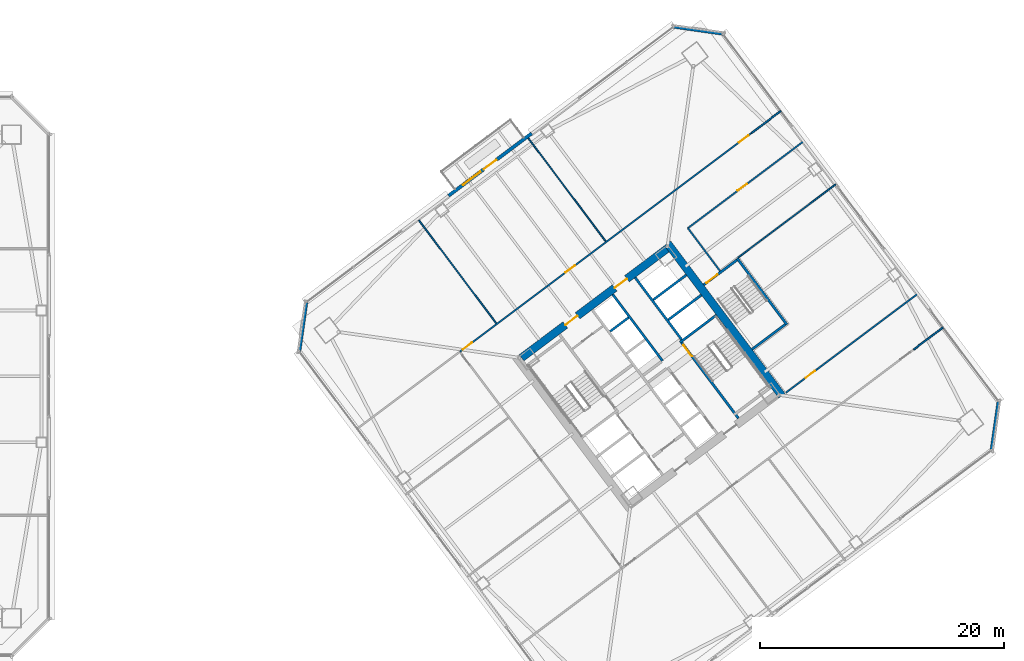
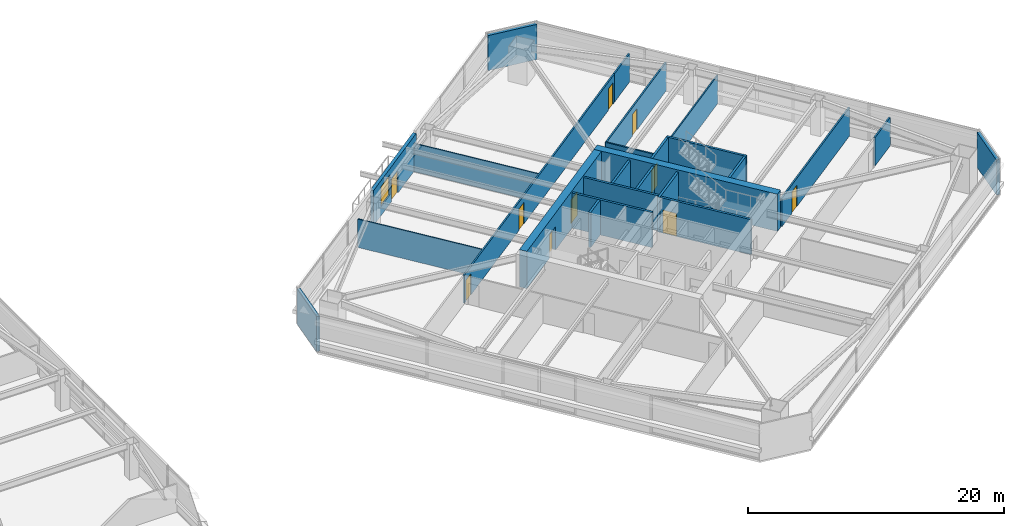
# One storey, part 36 of 45: 25 walls, 10 doors, 1 window, 11 openings.
"""IFC4 building model written with IfcOpenShell, lengths in metres."""

from ifc_helpers import new_model, si_unit, direction, frame, frame_2d, origin, place, context, subcontext, project, spatial, rectangle, extrude, material, layer, layer_set, type_object, element, fill, save


model = new_model("IFC4")

# Units and contexts
model_context = context("Model", 3, precision=1e-05, world=origin(), true_north=direction((0.0, 1.0)))
body_context = subcontext(model_context, "Body", "Model", "MODEL_VIEW")
ifc_project = project(units=[si_unit("LENGTHUNIT", "METRE"), si_unit("AREAUNIT", "SQUARE_METRE"), si_unit("VOLUMEUNIT", "CUBIC_METRE"), si_unit("PLANEANGLEUNIT", "RADIAN"), si_unit("MASSUNIT", "GRAM", prefix="KILO")], contexts=[model_context])

# Site, building, storey
site_placement = place(None, origin())
site = spatial("IfcSite", under=ifc_project, at=site_placement, CompositionType="ELEMENT")
building_placement = place(site_placement, origin())
building = spatial("IfcBuilding", under=site, at=building_placement, Name="Tashvorn Skyway Center", CompositionType="ELEMENT")
storey_placement = place(building_placement, frame((0.0, 0.0, 35.25)))
storey = spatial("IfcBuildingStorey", under=building, at=storey_placement, Name="L08", CompositionType="ELEMENT", Elevation=35.25)

# Wall
ifc_material_1 = material(Name="Concrete C60/75", Category="concrete")
ifc_layer_1 = layer(ifc_material_1, 0.64990234375)
ifc_layer_set_1 = layer_set([ifc_layer_1], Name="Concrete C60/75")
wall_type_1 = type_object("IfcWallType", Name="WALL-CORE-650", PredefinedType="SHEAR", material=ifc_layer_set_1)
wall_1_placement = place(storey_placement, frame((115.52392578125, 42.89306640625, 0.0), z_axis=(0.0, 0.0, 1.0), x_axis=(0.600005007985, -0.799996243986, 0.0)))
element("IfcWall", 1, at=wall_1_placement, inside=storey, type_object=wall_type_1, Name="Tower 2 L08 East Core Shear Wall", PredefinedType="SHEAR", context=body_context, shape_type="SweptSolid", body=[
    extrude(rectangle(XDim=15.60009765625, YDim=0.64990234375, at=frame_2d((7.800048828125, 0.0))), origin(), (0.0, 0.0, 1.0), 3.550048828125),
])

# Wall, openings, doors
wall_2_placement = place(storey_placement, frame((103.571044921875, 33.52197265625, 0.0), z_axis=(0.0, 0.0, 1.0), x_axis=(0.799998028465, 0.600002628705, 0.0)))
wall_2 = element("IfcWall", 2, at=wall_2_placement, inside=storey, type_object=wall_type_1, Name="Tower 2 L08 North Core Shear Wall", PredefinedType="SHEAR", context=body_context, shape_type="SweptSolid", body=[
    extrude(rectangle(XDim=14.85986328125, YDim=0.64990234375, at=frame_2d((7.429931640625, 0.0))), origin(), (0.0, 0.0, 1.0), 3.550048828125),
])
opening_1_placement = place(wall_2_placement, frame((4.47998046875, 0.0, 0.0)))
opening_1 = element("IfcOpeningElement", 3, at=opening_1_placement, cuts=wall_2, Name="Opening D-FFL-1250", PredefinedType="OPENING", context=body_context, shape_type="SweptSolid", body=[
    extrude(rectangle(XDim=1.25, YDim=2.25, at=frame_2d((0.625, 1.125))), frame((0.0, 0.3349609375, 0.0), z_axis=(0.0, -1.0, 0.0), x_axis=(1.0, 0.0, 0.0)), (0.0, 0.0, 1.0), 0.669921875),
])
opening_2_placement = place(wall_2_placement, frame((9.530029296875, 0.0, 0.0)))
opening_2 = element("IfcOpeningElement", 4, at=opening_2_placement, cuts=wall_2, Name="Opening D-FFL-1250", PredefinedType="OPENING", context=body_context, shape_type="SweptSolid", body=[
    extrude(rectangle(XDim=1.25, YDim=2.25, at=frame_2d((0.625, 1.125))), frame((0.0, 0.3349609375, 0.0), z_axis=(0.0, -1.0, 0.0), x_axis=(1.0, 0.0, 0.0)), (0.0, 0.0, 1.0), 0.669921875),
])
ifc_material_2 = material(Name="Hollow galvanized steel fire door assembly", Category="steel")
door_type_1 = type_object("IfcDoorType", Name="DOOR-FFL-1250", OperationType="NOTDEFINED", PredefinedType="DOOR", material=ifc_material_2)
door_1_placement = place(opening_1_placement, origin())
door_1 = element("IfcDoor", 5, at=door_1_placement, inside=storey, type_object=door_type_1, Name="Tower 2 L08 Core North Service Lobby Door", OperationType="SINGLE_SWING_LEFT", OverallHeight=2.25, OverallWidth=1.25, PredefinedType="DOOR", context=body_context, shape_type="SweptSolid", body=[
    extrude(rectangle(XDim=1.25, YDim=2.25, at=frame_2d((0.625, 1.125))), frame((0.0, 0.02490234375, 0.0), z_axis=(0.0, -1.0, 0.0), x_axis=(1.0, 0.0, 0.0)), (0.0, 0.0, 1.0), 0.050048828125),
])
fill(opening_1, door_1)
door_2_placement = place(opening_2_placement, origin())
door_2 = element("IfcDoor", 6, at=door_2_placement, inside=storey, type_object=door_type_1, Name="Tower 2 L08 Core North Lift Lobby Door", OperationType="SINGLE_SWING_RIGHT", OverallHeight=2.25, OverallWidth=1.25, PredefinedType="DOOR", context=body_context, shape_type="SweptSolid", body=[
    extrude(rectangle(XDim=1.25, YDim=2.25, at=frame_2d((0.625, 1.125))), frame((0.0, 0.02490234375, 0.0), z_axis=(0.0, -1.0, 0.0), x_axis=(1.0, 0.0, 0.0)), (0.0, 0.0, 1.0), 0.050048828125),
])
fill(opening_2, door_2)

# Wall, openings, door, window
ifc_material_3 = material(Name="Precast concrete C40/50", Category="concrete")
ifc_layer_2 = layer(ifc_material_3, 0.280029296875)
ifc_layer_set_2 = layer_set([ifc_layer_2], Name="Precast concrete C40/50")
wall_type_2 = type_object("IfcWallType", Name="WALL-EXT-280", PredefinedType="SOLIDWALL", material=ifc_layer_set_2)
wall_3_placement = place(storey_placement, frame((97.592041015625, 46.7939453125, 0.0), z_axis=(0.0, 0.0, 1.0), x_axis=(0.799996553335, 0.600004595526, 0.0)))
wall_3 = element("IfcWall", 7, at=wall_3_placement, inside=storey, type_object=wall_type_2, Name="Tower 2 L08 North Terrace Portal Wall", PredefinedType="SOLIDWALL", context=body_context, shape_type="SweptSolid", body=[
    extrude(rectangle(XDim=8.5, YDim=0.280029296875, at=frame_2d((4.25, 0.0))), origin(), (0.0, 0.0, 1.0), 3.35009765625),
])
opening_3_placement = place(wall_3_placement, frame((3.60009765625, 0.0, 0.0)))
opening_3 = element("IfcOpeningElement", 8, at=opening_3_placement, cuts=wall_3, Name="Opening D-TER-1300", PredefinedType="OPENING", context=body_context, shape_type="SweptSolid", body=[
    extrude(rectangle(XDim=1.300048828125, YDim=2.14990234375, at=frame_2d((0.64990234375, 1.074951171875))), frame((0.0, 0.14990234375, 0.0), z_axis=(0.0, -1.0, 0.0), x_axis=(1.0, 0.0, 0.0)), (0.0, 0.0, 1.0), 0.300048828125),
])
opening_4_placement = place(wall_3_placement, frame((1.4599609375, 0.0, 0.85009765625)))
opening_4 = element("IfcOpeningElement", 9, at=opening_4_placement, cuts=wall_3, Name="Opening WIN-1800", PredefinedType="OPENING", context=body_context, shape_type="SweptSolid", body=[
    extrude(rectangle(XDim=1.800048828125, YDim=1.919921875, at=frame_2d((0.89990234375, 0.9599609375))), frame((0.0, 0.14990234375, 0.0), z_axis=(0.0, -1.0, 0.0), x_axis=(1.0, 0.0, 0.0)), (0.0, 0.0, 1.0), 0.300048828125),
])
ifc_material_4 = material(Name="Thermally broken bronze-anodized aluminium 6063-T6", Category="aluminium")
door_type_2 = type_object("IfcDoorType", Name="DOOR-TERR-1300", OperationType="NOTDEFINED", PredefinedType="DOOR", material=ifc_material_4)
door_3_placement = place(opening_3_placement, origin())
door_3 = element("IfcDoor", 10, at=door_3_placement, inside=storey, type_object=door_type_2, Name="Tower 2 L08 Terrace Access Door", OperationType="SINGLE_SWING_LEFT", OverallHeight=2.14990234375, OverallWidth=1.300048828125, PredefinedType="DOOR", context=body_context, shape_type="SweptSolid", body=[
    extrude(rectangle(XDim=1.300048828125, YDim=2.14990234375, at=frame_2d((0.64990234375, 1.074951171875))), frame((0.0, 0.02490234375, 0.0), z_axis=(0.0, -1.0, 0.0), x_axis=(1.0, 0.0, 0.0)), (0.0, 0.0, 1.0), 0.050048828125),
])
fill(opening_3, door_3)
ifc_material_5 = material(Name="Low-E solar-control double insulating safety glass", Category="glass")
window_type = type_object("IfcWindowType", Name="WIN-TERR-1800", PartitioningType="SINGLE_PANEL", PredefinedType="WINDOW", material=ifc_material_5)
window_placement = place(opening_4_placement, origin())
window = element("IfcWindow", 11, at=window_placement, inside=storey, type_object=window_type, Name="Tower 2 L08 Terrace Window", OverallHeight=1.919921875, OverallWidth=1.800048828125, PartitioningType="SINGLE_PANEL", PredefinedType="WINDOW", context=body_context, shape_type="SweptSolid", body=[
    extrude(rectangle(XDim=1.800048828125, YDim=1.919921875, at=frame_2d((0.89990234375, 0.9599609375))), frame((0.0, 0.030029296875, 0.0), z_axis=(0.0, -1.0, 0.0), x_axis=(1.0, 0.0, 0.0)), (0.0, 0.0, 1.0), 0.06005859375),
])
fill(opening_4, window)

# Walls
for number, where, z_axis, x_axis, name in (
    (12, (85.360107421875, 34.02001953125, 0.0), (0.0, 0.0, 1.0), (0.14137968631, 0.989955445613, 0.0), "Tower 2 L08 NW Precast Chamfer Wall"),
    (13, (116.02001953125, 60.639892578125, 0.0), (0.0, 0.0, 1.0), (0.989955445613, -0.14137968631, 0.0), "Tower 2 L08 NE Precast Chamfer Wall"),
    (14, (142.639892578125, 29.97998046875, 0.0), (0.0, 0.0, 1.0), (-0.14137968631, -0.989955445613, 0.0), "Tower 2 L08 SE Precast Chamfer Wall"),
):
    element("IfcWall", number, at=place(storey_placement, frame(where, z_axis=z_axis, x_axis=x_axis)), inside=storey, type_object=wall_type_2, Name=name, PredefinedType="SOLIDWALL", context=body_context, shape_type="SweptSolid", body=[
        extrude(rectangle(XDim=4.101318359375, YDim=0.280029296875, at=frame_2d((2.05078125, 0.0))), origin(), (0.0, 0.0, 1.0), 3.35009765625),
    ])
ifc_material_6 = material(Name="Gypsum board on cold-formed steel stud framing", Category="steel")
ifc_layer_3 = layer(ifc_material_6, 0.110107421875)
ifc_layer_set_3 = layer_set([ifc_layer_3], Name="Gypsum board on cold-formed steel stud framing")
wall_type_3 = type_object("IfcWallType", Name="WALL-PART-110", PredefinedType="PARTITIONING", material=ifc_layer_set_3)
for number, where, z_axis, x_axis, name in (
    (15, (101.491943359375, 36.343994140625, 0.0), (0.0, 0.0, 1.0), (-0.599992594658, 0.800005553953, 0.0), "Tower 2 L08 North Suite Partition 1"),
    (16, (110.451904296875, 43.06396484375, 0.0), (0.0, 0.0, 1.0), (-0.599992594658, 0.800005553953, 0.0), "Tower 2 L08 North Suite Partition 2"),
):
    element("IfcWall", number, at=place(storey_placement, frame(where, z_axis=z_axis, x_axis=x_axis)), inside=storey, type_object=wall_type_3, Name=name, PredefinedType="PARTITIONING", context=body_context, shape_type="SweptSolid", body=[
        extrude(rectangle(XDim=10.5498046875, YDim=0.110107421875, at=frame_2d((5.27490234375, 0.0))), origin(), (0.0, 0.0, 1.0), 2.702880859375),
    ])
wall_4_placement = place(storey_placement, frame((129.303955078125, 47.72802734375, 0.0), z_axis=(0.0, 0.0, 1.0), x_axis=(-0.8, -0.6, 0.0)))
element("IfcWall", 17, at=wall_4_placement, inside=storey, type_object=wall_type_3, Name="Tower 2 L08 East Suite Partition 1", PredefinedType="PARTITIONING", context=body_context, shape_type="SweptSolid", body=[
    extrude(rectangle(XDim=10.0, YDim=0.110107421875, at=frame_2d((5.0, 0.0))), origin(), (0.0, 0.0, 1.0), 2.702880859375),
])
ifc_layer_4 = layer(ifc_material_6, 0.135009765625)
ifc_layer_set_4 = layer_set([ifc_layer_4], Name="Gypsum board on cold-formed steel stud framing")
wall_type_4 = type_object("IfcWallType", Name="WALL-PART-135", PredefinedType="PARTITIONING", material=ifc_layer_set_4)
wall_5_placement = place(storey_placement, frame((119.823974609375, 40.617919921875, 0.0), z_axis=(0.0, 0.0, 1.0), x_axis=(-0.599982243973, 0.800013316712, 0.0)))
element("IfcWall", 18, at=wall_5_placement, inside=storey, type_object=wall_type_4, Name="Tower 2 L08 Stair 3 Access Corridor Wall", PredefinedType="PARTITIONING", context=body_context, shape_type="SweptSolid", body=[
    extrude(rectangle(XDim=4.39990234375, YDim=0.135009765625, at=frame_2d((2.199951171875, 0.0))), origin(), (0.0, 0.0, 1.0), 2.702880859375),
])

# Wall, openings, doors
wall_6_placement = place(storey_placement, frame((98.51611328125, 34.011962890625, 0.0), z_axis=(0.0, 0.0, 1.0), x_axis=(0.799998035726, 0.600002619023, 0.0)))
wall_6 = element("IfcWall", 19, at=wall_6_placement, inside=storey, type_object=wall_type_4, Name="Tower 2 L08 North Suite Wall", PredefinedType="PARTITIONING", context=body_context, shape_type="SweptSolid", body=[
    extrude(rectangle(XDim=29.829833984375, YDim=0.135009765625, at=frame_2d((14.9150390625, 0.0))), origin(), (0.0, 0.0, 1.0), 2.702880859375),
])
opening_5_placement = place(wall_6_placement, frame((0.300048828125, 0.0, 0.0)))
opening_5 = element("IfcOpeningElement", 20, at=opening_5_placement, cuts=wall_6, Name="Opening D-INT-950", PredefinedType="OPENING", context=body_context, shape_type="SweptSolid", body=[
    extrude(rectangle(XDim=0.949951171875, YDim=2.050048828125, at=frame_2d((0.47509765625, 1.02490234375))), frame((0.0, 0.077392578125, 0.0), z_axis=(0.0, -1.0, 0.0), x_axis=(1.0, 0.0, 0.0)), (0.0, 0.0, 1.0), 0.155029296875),
])
opening_6_placement = place(wall_6_placement, frame((10.82861328125, 0.0, 0.0)))
opening_6 = element("IfcOpeningElement", 21, at=opening_6_placement, cuts=wall_6, Name="Opening D-INT-950", PredefinedType="OPENING", context=body_context, shape_type="SweptSolid", body=[
    extrude(rectangle(XDim=0.949951171875, YDim=2.050048828125, at=frame_2d((0.47509765625, 1.02490234375))), frame((0.0, 0.077392578125, 0.0), z_axis=(0.0, -1.0, 0.0), x_axis=(1.0, 0.0, 0.0)), (0.0, 0.0, 1.0), 0.155029296875),
])
opening_7_placement = place(wall_6_placement, frame((28.580078125, 0.0, 0.0)))
opening_7 = element("IfcOpeningElement", 22, at=opening_7_placement, cuts=wall_6, Name="Opening D-INT-950", PredefinedType="OPENING", context=body_context, shape_type="SweptSolid", body=[
    extrude(rectangle(XDim=0.949951171875, YDim=2.050048828125, at=frame_2d((0.47509765625, 1.02490234375))), frame((0.0, 0.077392578125, 0.0), z_axis=(0.0, -1.0, 0.0), x_axis=(1.0, 0.0, 0.0)), (0.0, 0.0, 1.0), 0.155029296875),
])
ifc_material_7 = material(Name="Solid-core architectural oak veneer door")
door_type_3 = type_object("IfcDoorType", Name="DOOR-INT-950", OperationType="NOTDEFINED", PredefinedType="DOOR", material=ifc_material_7)
door_4_placement = place(opening_5_placement, origin())
door_4 = element("IfcDoor", 23, at=door_4_placement, inside=storey, type_object=door_type_3, Name="Tower 2 L08 Open Plan Office Door", OperationType="SINGLE_SWING_RIGHT", OverallHeight=2.050048828125, OverallWidth=0.949951171875, PredefinedType="DOOR", context=body_context, shape_type="SweptSolid", body=[
    extrude(rectangle(XDim=0.949951171875, YDim=2.050048828125, at=frame_2d((0.47509765625, 1.02490234375))), frame((0.0, 0.02490234375, 0.0), z_axis=(0.0, -1.0, 0.0), x_axis=(1.0, 0.0, 0.0)), (0.0, 0.0, 1.0), 0.050048828125),
])
fill(opening_5, door_4)
door_5_placement = place(opening_6_placement, origin())
door_5 = element("IfcDoor", 24, at=door_5_placement, inside=storey, type_object=door_type_3, Name="Tower 2 L08 Open Plan Office Door", OperationType="SINGLE_SWING_LEFT", OverallHeight=2.050048828125, OverallWidth=0.949951171875, PredefinedType="DOOR", context=body_context, shape_type="SweptSolid", body=[
    extrude(rectangle(XDim=0.949951171875, YDim=2.050048828125, at=frame_2d((0.47509765625, 1.02490234375))), frame((0.0, 0.02490234375, 0.0), z_axis=(0.0, -1.0, 0.0), x_axis=(1.0, 0.0, 0.0)), (0.0, 0.0, 1.0), 0.050048828125),
])
fill(opening_6, door_5)
door_6_placement = place(opening_7_placement, origin())
door_6 = element("IfcDoor", 25, at=door_6_placement, inside=storey, type_object=door_type_3, Name="Tower 2 L08 Design Studio Door", OperationType="SINGLE_SWING_RIGHT", OverallHeight=2.050048828125, OverallWidth=0.949951171875, PredefinedType="DOOR", context=body_context, shape_type="SweptSolid", body=[
    extrude(rectangle(XDim=0.949951171875, YDim=2.050048828125, at=frame_2d((0.47509765625, 1.02490234375))), frame((0.0, 0.02490234375, 0.0), z_axis=(0.0, -1.0, 0.0), x_axis=(1.0, 0.0, 0.0)), (0.0, 0.0, 1.0), 0.050048828125),
])
fill(opening_7, door_6)

# Walls
for number, where, z_axis, x_axis, name in (
    (26, (122.3798828125, 51.909912109375, 0.0), (0.0, 0.0, 1.0), (0.799990331366, 0.600012891296, 0.0), "Tower 2 L08 North-East Suite South Wall"),
    (27, (135.669921875, 34.18994140625, 0.0), (0.0, 0.0, 1.0), (0.799990331366, 0.600012891296, 0.0), "Tower 2 L08 South-East Suite North Wall"),
):
    element("IfcWall", number, at=place(storey_placement, frame(where, z_axis=z_axis, x_axis=x_axis)), inside=storey, type_object=wall_type_4, Name=name, PredefinedType="PARTITIONING", context=body_context, shape_type="SweptSolid", body=[
        extrude(rectangle(XDim=3.030029296875, YDim=0.135009765625, at=frame_2d((1.51513671875, 0.0))), origin(), (0.0, 0.0, 1.0), 2.702880859375),
    ])

# Wall, opening, door
wall_7_placement = place(storey_placement, frame((126.6640625, 51.248046875, 0.0), z_axis=(0.0, 0.0, 1.0), x_axis=(-0.799995055373, -0.600006592779, 0.0)))
wall_7 = element("IfcWall", 28, at=wall_7_placement, inside=storey, type_object=wall_type_4, Name="Tower 2 L08 East Suite North Wall", PredefinedType="PARTITIONING", context=body_context, shape_type="SweptSolid", body=[
    extrude(rectangle(XDim=11.85009765625, YDim=0.135009765625, at=frame_2d((5.925048828125, 0.0))), origin(), (0.0, 0.0, 1.0), 2.702880859375),
])
opening_8_placement = place(wall_7_placement, frame((5.800048828125, 0.0, 0.0)))
opening_8 = element("IfcOpeningElement", 29, at=opening_8_placement, cuts=wall_7, Name="Opening D-INT-950", PredefinedType="OPENING", context=body_context, shape_type="SweptSolid", body=[
    extrude(rectangle(XDim=0.949951171875, YDim=2.050048828125, at=frame_2d((0.47509765625, 1.02490234375))), frame((0.0, 0.077392578125, 0.0), z_axis=(0.0, -1.0, 0.0), x_axis=(1.0, 0.0, 0.0)), (0.0, 0.0, 1.0), 0.155029296875),
])
door_7_placement = place(opening_8_placement, origin())
door_7 = element("IfcDoor", 30, at=door_7_placement, inside=storey, type_object=door_type_3, Name="Tower 2 L08 Executive Study Lounge Door", OperationType="SINGLE_SWING_RIGHT", OverallHeight=2.050048828125, OverallWidth=0.949951171875, PredefinedType="DOOR", context=body_context, shape_type="SweptSolid", body=[
    extrude(rectangle(XDim=0.949951171875, YDim=2.050048828125, at=frame_2d((0.47509765625, 1.02490234375))), frame((0.0, 0.02490234375, 0.0), z_axis=(0.0, -1.0, 0.0), x_axis=(1.0, 0.0, 0.0)), (0.0, 0.0, 1.0), 0.050048828125),
])
fill(opening_8, door_7)

wall_8_placement = place(storey_placement, frame((125.2080078125, 30.656005859375, 0.0), z_axis=(0.0, 0.0, 1.0), x_axis=(0.799995666112, 0.600005778473, 0.0)))
wall_8 = element("IfcWall", 31, at=wall_8_placement, inside=storey, type_object=wall_type_4, Name="Tower 2 L08 East Suite South Wall", PredefinedType="PARTITIONING", context=body_context, shape_type="SweptSolid", body=[
    extrude(rectangle(XDim=13.52001953125, YDim=0.135009765625, at=frame_2d((6.760009765625, 0.0))), origin(), (0.0, 0.0, 1.0), 2.702880859375),
])
opening_9_placement = place(wall_8_placement, frame((2.044921875, 0.0, 0.0)))
opening_9 = element("IfcOpeningElement", 32, at=opening_9_placement, cuts=wall_8, Name="Opening D-INT-950", PredefinedType="OPENING", context=body_context, shape_type="SweptSolid", body=[
    extrude(rectangle(XDim=0.949951171875, YDim=2.050048828125, at=frame_2d((0.47509765625, 1.02490234375))), frame((0.0, 0.077392578125, 0.0), z_axis=(0.0, -1.0, 0.0), x_axis=(1.0, 0.0, 0.0)), (0.0, 0.0, 1.0), 0.155029296875),
])
door_8_placement = place(opening_9_placement, origin())
door_8 = element("IfcDoor", 33, at=door_8_placement, inside=storey, type_object=door_type_3, Name="Tower 2 L08 Public Restroom Door", OperationType="SINGLE_SWING_LEFT", OverallHeight=2.050048828125, OverallWidth=0.949951171875, PredefinedType="DOOR", context=body_context, shape_type="SweptSolid", body=[
    extrude(rectangle(XDim=0.949951171875, YDim=2.050048828125, at=frame_2d((0.47509765625, 1.02490234375))), frame((0.0, 0.02490234375, 0.0), z_axis=(0.0, -1.0, 0.0), x_axis=(1.0, 0.0, 0.0)), (0.0, 0.0, 1.0), 0.050048828125),
])
fill(opening_9, door_8)

# Walls
ifc_material_8 = material(Name="Concrete C40/50", Category="concrete")
ifc_layer_5 = layer(ifc_material_8, 0.199951171875)
ifc_layer_set_5 = layer_set([ifc_layer_5], Name="Concrete C40/50")
wall_type_5 = type_object("IfcWallType", Name="WALL-SHAFT-200", PredefinedType="SOLIDWALL", material=ifc_layer_set_5)
for number, where, z_axis, x_axis, name in (
    (34, (115.590087890625, 36.6298828125, 0.0), (0.0, 0.0, 1.0), (0.799973995579, 0.600034670996, 0.0), "Tower 2 L08 High-Rise Shaft Divider"),
    (35, (114.360107421875, 38.27001953125, 0.0), (0.0, 0.0, 1.0), (0.799973995579, 0.600034670996, 0.0), "Tower 2 L08 High-Rise Shaft Divider"),
):
    element("IfcWall", number, at=place(storey_placement, frame(where, z_axis=z_axis, x_axis=x_axis)), inside=storey, type_object=wall_type_5, Name=name, PredefinedType="SOLIDWALL", context=body_context, shape_type="SweptSolid", body=[
        extrude(rectangle(XDim=3.3798828125, YDim=0.199951171875, at=frame_2d((1.68994140625, 0.0))), origin(), (0.0, 0.0, 1.0), 3.35009765625),
    ])
wall_9_placement = place(storey_placement, frame((115.110107421875, 33.27001953125, 0.0), z_axis=(0.0, 0.0, 1.0), x_axis=(-0.600011488909, 0.79999138319, 0.0)))
element("IfcWall", 36, at=wall_9_placement, inside=storey, type_object=wall_type_5, Name="Tower 2 L08 Mid-Rise Core Wall", PredefinedType="SOLIDWALL", context=body_context, shape_type="SweptSolid", body=[
    extrude(rectangle(XDim=6.800048828125, YDim=0.199951171875, at=frame_2d((3.39990234375, 0.0))), origin(), (0.0, 0.0, 1.0), 3.35009765625),
])
wall_10_placement = place(storey_placement, frame((110.825927734375, 35.681884765625, 0.0), z_axis=(0.0, 0.0, 1.0), x_axis=(0.799984418148, 0.600020775241, 0.0)))
element("IfcWall", 37, at=wall_10_placement, inside=storey, type_object=wall_type_5, Name="Tower 2 L08 Mid-Rise Shaft Divider", PredefinedType="SOLIDWALL", context=body_context, shape_type="SweptSolid", body=[
    extrude(rectangle(XDim=1.880126953125, YDim=0.199951171875, at=frame_2d((0.93994140625, 0.0))), origin(), (0.0, 0.0, 1.0), 3.35009765625),
])

# Wall, opening, door
ifc_layer_6 = layer(ifc_material_8, 0.199951171875)
ifc_layer_set_6 = layer_set([ifc_layer_6], Name="Concrete C40/50")
wall_type_6 = type_object("IfcWallType", Name="WALL-STSHF-200", PredefinedType="SHEAR", material=ifc_layer_set_6)
wall_11_placement = place(storey_placement, frame((116.56005859375, 34.919921875, 0.0), z_axis=(0.0, 0.0, 1.0), x_axis=(0.600009827119, -0.799992629566, 0.0)))
wall_11 = element("IfcWall", 38, at=wall_11_placement, inside=storey, type_object=wall_type_6, Name="Tower 2 L08 Stair 2 Enclosure Wall", PredefinedType="SHEAR", context=body_context, shape_type="SweptSolid", body=[
    extrude(rectangle(XDim=7.949951171875, YDim=0.199951171875, at=frame_2d((3.97509765625, 0.0))), origin(), (0.0, 0.0, 1.0), 3.35009765625),
])
opening_10_placement = place(wall_11_placement, frame((0.449951171875, 0.0, 0.0)))
opening_10 = element("IfcOpeningElement", 39, at=opening_10_placement, cuts=wall_11, Name="Opening D-ST-1150", PredefinedType="OPENING", context=body_context, shape_type="SweptSolid", body=[
    extrude(rectangle(XDim=1.14990234375, YDim=2.199951171875, at=frame_2d((0.574951171875, 1.10009765625))), frame((0.0, 0.10986328125, 0.0), z_axis=(0.0, -1.0, 0.0), x_axis=(1.0, 0.0, 0.0)), (0.0, 0.0, 1.0), 0.219970703125),
])
door_type_4 = type_object("IfcDoorType", Name="DOOR-STAIR-1150", OperationType="NOTDEFINED", PredefinedType="DOOR", material=ifc_material_2)
door_9_placement = place(opening_10_placement, origin())
door_9 = element("IfcDoor", 40, at=door_9_placement, inside=storey, type_object=door_type_4, Name="Tower 2 L08 Exit Stair 2 Door", OperationType="SINGLE_SWING_RIGHT", OverallHeight=2.199951171875, OverallWidth=1.14990234375, PredefinedType="DOOR", context=body_context, shape_type="SweptSolid", body=[
    extrude(rectangle(XDim=1.14990234375, YDim=2.199951171875, at=frame_2d((0.574951171875, 1.10009765625))), frame((0.0, 0.02490234375, 0.0), z_axis=(0.0, -1.0, 0.0), x_axis=(1.0, 0.0, 0.0)), (0.0, 0.0, 1.0), 0.050048828125),
])
fill(opening_10, door_9)

# Walls
wall_12_placement = place(storey_placement, frame((116.5400390625, 34.780029296875, 0.0), z_axis=(0.0, 0.0, 1.0), x_axis=(0.799984290658, 0.600020945218, 0.0)))
element("IfcWall", 41, at=wall_12_placement, inside=storey, type_object=wall_type_6, Name="Tower 2 L08 Stair 2 North Wall", PredefinedType="SHEAR", context=body_context, shape_type="SweptSolid", body=[
    extrude(rectangle(XDim=3.72998046875, YDim=0.199951171875, at=frame_2d((1.864990234375, 0.0))), origin(), (0.0, 0.0, 1.0), 3.35009765625),
])
wall_13_placement = place(storey_placement, frame((112.8701171875, 40.090087890625, 0.0), z_axis=(0.0, 0.0, 1.0), x_axis=(0.599975393228, -0.800018454488, 0.0)))
element("IfcWall", 42, at=wall_13_placement, inside=storey, type_object=wall_type_6, Name="Tower 2 L08 High-Rise Lift Shaft Front Wall", PredefinedType="SHEAR", context=body_context, shape_type="SweptSolid", body=[
    extrude(rectangle(XDim=6.349853515625, YDim=0.199951171875, at=frame_2d((3.1748046875, 0.0))), origin(), (0.0, 0.0, 1.0), 3.35009765625),
])
wall_14_placement = place(storey_placement, frame((125.303955078125, 36.22802734375, 0.0), z_axis=(0.0, 0.0, 1.0), x_axis=(-0.59998851072, 0.800008616831, 0.0)))
element("IfcWall", 43, at=wall_14_placement, inside=storey, type_object=wall_type_6, Name="Tower 2 L08 Stair 3 Outer Wall", PredefinedType="SHEAR", context=body_context, shape_type="SweptSolid", body=[
    extrude(rectangle(XDim=6.7998046875, YDim=0.199951171875, at=frame_2d((3.39990234375, 0.0))), origin(), (0.0, 0.0, 1.0), 3.35009765625),
])

# Wall, opening, door
wall_15_placement = place(storey_placement, frame((121.2041015625, 41.528076171875, 0.0), z_axis=(0.0, 0.0, 1.0), x_axis=(-0.800017232136, -0.599977023131, 0.0)))
wall_15 = element("IfcWall", 44, at=wall_15_placement, inside=storey, type_object=wall_type_6, Name="Tower 2 L08 Stair 3 Enclosure Wall", PredefinedType="SHEAR", context=body_context, shape_type="SweptSolid", body=[
    extrude(rectangle(XDim=3.400146484375, YDim=0.199951171875, at=frame_2d((1.7001953125, 0.0))), origin(), (0.0, 0.0, 1.0), 3.35009765625),
])
opening_11_placement = place(wall_15_placement, frame((1.97509765625, 0.0, 0.0)))
opening_11 = element("IfcOpeningElement", 45, at=opening_11_placement, cuts=wall_15, Name="Opening D-ST-1150", PredefinedType="OPENING", context=body_context, shape_type="SweptSolid", body=[
    extrude(rectangle(XDim=1.14990234375, YDim=2.199951171875, at=frame_2d((0.574951171875, 1.10009765625))), frame((0.0, 0.10986328125, 0.0), z_axis=(0.0, -1.0, 0.0), x_axis=(1.0, 0.0, 0.0)), (0.0, 0.0, 1.0), 0.219970703125),
])
door_10_placement = place(opening_11_placement, origin())
door_10 = element("IfcDoor", 46, at=door_10_placement, inside=storey, type_object=door_type_4, Name="Tower 2 L08 Exit Stair 3 Door", OperationType="SINGLE_SWING_RIGHT", OverallHeight=2.199951171875, OverallWidth=1.14990234375, PredefinedType="DOOR", context=body_context, shape_type="SweptSolid", body=[
    extrude(rectangle(XDim=1.14990234375, YDim=2.199951171875, at=frame_2d((0.574951171875, 1.10009765625))), frame((0.0, 0.02490234375, 0.0), z_axis=(0.0, -1.0, 0.0), x_axis=(1.0, 0.0, 0.0)), (0.0, 0.0, 1.0), 0.050048828125),
])
fill(opening_11, door_10)

# Wall
wall_16_placement = place(storey_placement, frame((122.444091796875, 34.2080078125, 0.0), z_axis=(0.0, 0.0, 1.0), x_axis=(0.79999138319, 0.600011488909, 0.0)))
element("IfcWall", 47, at=wall_16_placement, inside=storey, type_object=wall_type_6, Name="Tower 2 L08 Stair 3 South Wall", PredefinedType="SHEAR", context=body_context, shape_type="SweptSolid", body=[
    extrude(rectangle(XDim=3.39990234375, YDim=0.199951171875, at=frame_2d((1.699951171875, 0.0))), origin(), (0.0, 0.0, 1.0), 3.35009765625),
])

save(model, "model.ifc")
